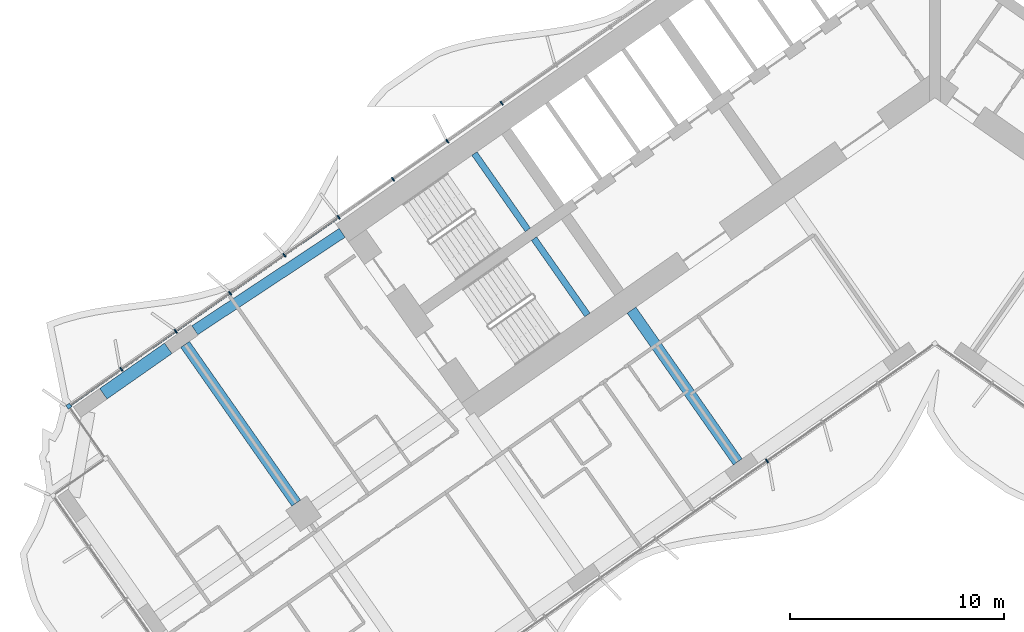
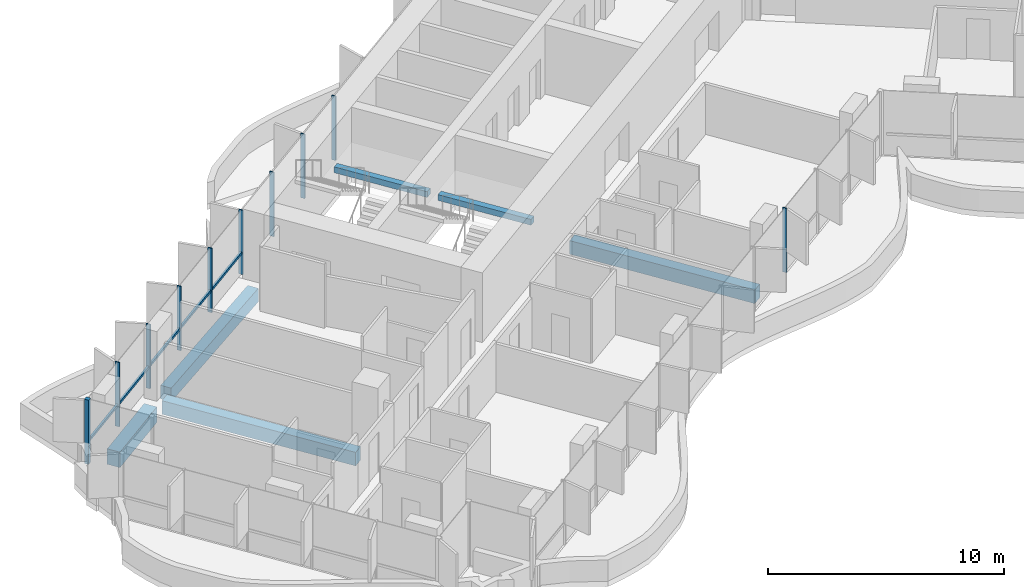
# One storey, part 4 of 23: 11 members, 6 beams, 2 elements without a shape of their own.
"""IFC4 building model written with IfcOpenShell, lengths in metres."""

from ifc_helpers import new_model, si_unit, direction, frame, origin, origin_2d, place, context, subcontext, project, spatial, rectangle, extrude, material, material_profile, profile_set, type_object, element, aggregate, save


model = new_model("IFC4")

# Units and contexts
model_context = context("Model", 3, precision=1e-05, world=origin(), true_north=direction((0.0, 1.0)))
body_context = subcontext(model_context, "Body", "Model", "MODEL_VIEW")
ifc_project = project(units=[si_unit("LENGTHUNIT", "METRE"), si_unit("AREAUNIT", "SQUARE_METRE"), si_unit("VOLUMEUNIT", "CUBIC_METRE"), si_unit("PLANEANGLEUNIT", "RADIAN"), si_unit("MASSUNIT", "GRAM", prefix="KILO")], contexts=[model_context])

# Site, building, storey
site_placement = place(None, origin())
site = spatial("IfcSite", under=ifc_project, at=site_placement, CompositionType="ELEMENT")
building_placement = place(site_placement, origin())
building = spatial("IfcBuilding", under=site, at=building_placement, Name="Tel Ilan Convention Tower", CompositionType="ELEMENT")
storey_placement = place(building_placement, frame((0.0, 0.0, 104.89990234375)))
storey = spatial("IfcBuildingStorey", under=building, at=storey_placement, Name="L22", CompositionType="ELEMENT", Elevation=104.89990234375)

# Beams
ifc_material_1 = material(Name="Concrete C40/50", Category="concrete")
ifc_material_profile_1 = material_profile(ifc_material_1, rectangle(XDim=0.5, YDim=0.699951171875, at=origin_2d()), Name="RC 500x700")
ifc_profile_set_1 = profile_set([ifc_material_profile_1], Name="Concrete C40/50")
beam_type_1 = type_object("IfcBeamType", Name="Beam RC 500x700 Concrete C40/50", PredefinedType="BEAM", material=ifc_profile_set_1)
beam_1_placement = place(storey_placement, frame((-34.570556640625, -12.08447265625, -0.6298828125), z_axis=(0.834273603487, 0.551350663847, 0.0), x_axis=(-0.551350663847, 0.834273603487, 0.0)))
element("IfcBeam", 1, at=beam_1_placement, inside=storey, type_object=beam_type_1, Name="L22 beam W-W-B4-core", PredefinedType="BEAM", context=body_context, shape_type="SweptSolid", body=[
    extrude(rectangle(XDim=0.5, YDim=0.699951171875, at=origin_2d()), origin(), (0.0, 0.0, 1.0), 8.2529296875),
])
beam_2_placement = place(storey_placement, frame((-9.209716796875, -18.229248046875, -0.6298828125), z_axis=(-0.573574099654, 0.819153680457, 0.0), x_axis=(-0.819153680457, -0.573574099654, 0.0)))
element("IfcBeam", 2, at=beam_2_placement, inside=storey, type_object=beam_type_1, Name="L22 beam W-W-F2-core", PredefinedType="BEAM", context=body_context, shape_type="SweptSolid", body=[
    extrude(rectangle(XDim=0.5, YDim=0.699951171875, at=origin_2d()), origin(), (0.0, 0.0, 1.0), 8.64990234375),
])
beam_3_placement = place(storey_placement, frame((-29.83349609375, -20.1572265625, -0.6298828125), z_axis=(-0.57358002233, 0.819149533348, 0.0), x_axis=(-0.819149533348, -0.57358002233, 0.0)))
element("IfcBeam", 3, at=beam_3_placement, inside=storey, type_object=beam_type_1, Name="L22 beam W-W-M4-W-B4", PredefinedType="BEAM", context=body_context, shape_type="SweptSolid", body=[
    extrude(rectangle(XDim=0.5, YDim=0.699951171875, at=origin_2d()), origin(), (0.0, 0.0, 1.0), 9.050048828125),
])
ifc_material_2 = material(Name="Concrete C40/50", Category="concrete")
ifc_material_profile_2 = material_profile(ifc_material_2, rectangle(XDim=0.60009765625, YDim=0.800048828125, at=origin_2d()), Name="RC 600x800")
ifc_profile_set_2 = profile_set([ifc_material_profile_2], Name="Concrete C40/50")
beam_type_2 = type_object("IfcBeamType", Name="Beam RC 600x800 Concrete C40/50", PredefinedType="BEAM", material=ifc_profile_set_2)
beam_4_placement = place(storey_placement, frame((-38.841796875, -15.050537109375, -0.679931640625), z_axis=(0.819185419371, 0.573528768842, 0.0), x_axis=(-0.573528768842, 0.819185419371, 0.0)))
element("IfcBeam", 4, at=beam_4_placement, inside=storey, type_object=beam_type_2, Name="L22 beam W-W-BC-W-B4", PredefinedType="BEAM", context=body_context, shape_type="SweptSolid", body=[
    extrude(rectangle(XDim=0.60009765625, YDim=0.800048828125, at=origin_2d()), origin(), (0.0, 0.0, 1.0), 3.699951171875),
])

# Curtain wall, member
ifc_material_3 = material(Name="Aluminium, bronze anodised", Category="aluminium")
curtain_wall_type_1 = type_object("IfcCurtainWallType", Name="CW1 UNITISED CURTAIN WALL, HOTEL TINTED GLASS", PredefinedType="NOTDEFINED", material=ifc_material_3)
curtain_wall_1_placement = place(storey_placement, origin())
curtain_wall_1 = element("IfcCurtainWall", 5, at=curtain_wall_1_placement, inside=storey, type_object=curtain_wall_type_1, Name="Curtain wall CW1-19.02", PredefinedType="NOTDEFINED")
ifc_material_4 = material(Name="Aluminium, bronze anodised", Category="aluminium")
ifc_material_profile_3 = material_profile(ifc_material_4, rectangle(XDim=0.199951171875, YDim=0.199951171875, at=origin_2d()), Name="CW CORNER MULLION 200x200")
ifc_profile_set_3 = profile_set([ifc_material_profile_3], Name="Aluminium, bronze anodised")
member_type_1 = type_object("IfcMemberType", Name="CW CORNER MULLION 200x200", PredefinedType="MULLION", material=ifc_profile_set_3)
member_1_placement = place(storey_placement, frame((-40.451416015625, -15.62841796875, 0.0), z_axis=(0.0, 0.0, 1.0), x_axis=(-0.819152044289, -0.573576436351, 0.0)))
member_1 = element("IfcMember", 6, at=member_1_placement, type_object=member_type_1, Name="Corner mullion", PredefinedType="MULLION", context=body_context, shape_type="SweptSolid", body=[
    extrude(rectangle(XDim=0.199951171875, YDim=0.199951171875, at=origin_2d()), origin(), (0.0, 0.0, 1.0), 3.320068359375),
])

# Curtain wall, members
ifc_material_5 = material(Name="Aluminium, bronze anodised", Category="aluminium")
curtain_wall_type_2 = type_object("IfcCurtainWallType", Name="CW2 STICK CURTAIN WALL, SPANDREL PANELS", PredefinedType="NOTDEFINED", material=ifc_material_5)
curtain_wall_2_placement = place(storey_placement, origin())
curtain_wall_2 = element("IfcCurtainWall", 7, at=curtain_wall_2_placement, inside=storey, type_object=curtain_wall_type_2, Name="Curtain wall CW2-19.01", PredefinedType="NOTDEFINED")
ifc_material_6 = material(Name="Aluminium, bronze anodised", Category="aluminium")
ifc_material_profile_4 = material_profile(ifc_material_6, rectangle(XDim=0.06005859375, YDim=0.199951171875, at=origin_2d()), Name="CW MULLION 60x200")
ifc_profile_set_4 = profile_set([ifc_material_profile_4], Name="Aluminium, bronze anodised")
member_type_2 = type_object("IfcMemberType", Name="CW MULLION 60x200", PredefinedType="MULLION", material=ifc_profile_set_4)
member_2_placement = place(storey_placement, frame((-20.238037109375, -1.474853515625, 0.0), z_axis=(0.0, 0.0, 1.0), x_axis=(-0.819152044289, -0.573576436351, 0.0)))
member_2 = element("IfcMember", 8, at=member_2_placement, type_object=member_type_2, Name="Mullion", PredefinedType="MULLION", context=body_context, shape_type="SweptSolid", body=[
    extrude(rectangle(XDim=0.06005859375, YDim=0.199951171875, at=origin_2d()), origin(), (0.0, 0.0, 1.0), 3.320068359375),
])
member_3_placement = place(storey_placement, frame((-22.77490234375, -3.251220703125, 0.0), z_axis=(0.0, 0.0, 1.0), x_axis=(-0.819152044289, -0.573576436351, 0.0)))
member_3 = element("IfcMember", 9, at=member_3_placement, type_object=member_type_2, Name="Mullion", PredefinedType="MULLION", context=body_context, shape_type="SweptSolid", body=[
    extrude(rectangle(XDim=0.06005859375, YDim=0.199951171875, at=origin_2d()), origin(), (0.0, 0.0, 1.0), 3.320068359375),
])
member_4_placement = place(storey_placement, frame((-25.311767578125, -5.027587890625, 0.0), z_axis=(0.0, 0.0, 1.0), x_axis=(-0.819152044289, -0.573576436351, 0.0)))
member_4 = element("IfcMember", 10, at=member_4_placement, type_object=member_type_2, Name="Mullion", PredefinedType="MULLION", context=body_context, shape_type="SweptSolid", body=[
    extrude(rectangle(XDim=0.06005859375, YDim=0.199951171875, at=origin_2d()), origin(), (0.0, 0.0, 1.0), 3.320068359375),
])
member_5_placement = place(storey_placement, frame((-27.848876953125, -6.803955078125, 0.0), z_axis=(0.0, 0.0, 1.0), x_axis=(-0.819152044289, -0.573576436351, 0.0)))
member_5 = element("IfcMember", 11, at=member_5_placement, type_object=member_type_2, Name="Mullion", PredefinedType="MULLION", context=body_context, shape_type="SweptSolid", body=[
    extrude(rectangle(XDim=0.06005859375, YDim=0.199951171875, at=origin_2d()), origin(), (0.0, 0.0, 1.0), 3.320068359375),
])
aggregate(curtain_wall_2, [member_2, member_3, member_4, member_5])

# Member
member_6_placement = place(storey_placement, frame((-30.3857421875, -8.580322265625, 0.0), z_axis=(0.0, 0.0, 1.0), x_axis=(-0.819152044289, -0.573576436351, 0.0)))
member_6 = element("IfcMember", 12, at=member_6_placement, type_object=member_type_2, Name="Mullion", PredefinedType="MULLION", context=body_context, shape_type="SweptSolid", body=[
    extrude(rectangle(XDim=0.06005859375, YDim=0.199951171875, at=origin_2d()), origin(), (0.0, 0.0, 1.0), 3.320068359375),
])

member_7_placement = place(storey_placement, frame((-32.922607421875, -10.356689453125, 0.0), z_axis=(0.0, 0.0, 1.0), x_axis=(-0.819152044289, -0.573576436351, 0.0)))
member_7 = element("IfcMember", 13, at=member_7_placement, type_object=member_type_2, Name="Mullion", PredefinedType="MULLION", context=body_context, shape_type="SweptSolid", body=[
    extrude(rectangle(XDim=0.06005859375, YDim=0.199951171875, at=origin_2d()), origin(), (0.0, 0.0, 1.0), 3.320068359375),
])

member_8_placement = place(storey_placement, frame((-35.45947265625, -12.133056640625, 0.0), z_axis=(0.0, 0.0, 1.0), x_axis=(-0.819152044289, -0.573576436351, 0.0)))
member_8 = element("IfcMember", 14, at=member_8_placement, type_object=member_type_2, Name="Mullion", PredefinedType="MULLION", context=body_context, shape_type="SweptSolid", body=[
    extrude(rectangle(XDim=0.06005859375, YDim=0.199951171875, at=origin_2d()), origin(), (0.0, 0.0, 1.0), 3.320068359375),
])

member_9_placement = place(storey_placement, frame((-37.99658203125, -13.909423828125, 0.0), z_axis=(0.0, 0.0, 1.0), x_axis=(-0.819152044289, -0.573576436351, 0.0)))
member_9 = element("IfcMember", 15, at=member_9_placement, type_object=member_type_2, Name="Mullion", PredefinedType="MULLION", context=body_context, shape_type="SweptSolid", body=[
    extrude(rectangle(XDim=0.06005859375, YDim=0.199951171875, at=origin_2d()), origin(), (0.0, 0.0, 1.0), 3.320068359375),
])

member_10_placement = place(storey_placement, frame((-7.842529296875, -18.1875, 0.0), z_axis=(0.0, 0.0, 1.0), x_axis=(0.819152044289, 0.573576436351, 0.0)))
member_10 = element("IfcMember", 16, at=member_10_placement, type_object=member_type_2, Name="Mullion", PredefinedType="MULLION", context=body_context, shape_type="SweptSolid", body=[
    extrude(rectangle(XDim=0.06005859375, YDim=0.199951171875, at=origin_2d()), origin(), (0.0, 0.0, 1.0), 3.320068359375),
])

ifc_material_7 = material(Name="Aluminium, bronze anodised", Category="aluminium")
ifc_material_profile_5 = material_profile(ifc_material_7, rectangle(XDim=0.10009765625, YDim=0.1201171875, at=origin_2d()), Name="CW TRANSOM 100x120")
ifc_profile_set_5 = profile_set([ifc_material_profile_5], Name="Aluminium, bronze anodised")
member_type_3 = type_object("IfcMemberType", Name="CW TRANSOM 100x120", PredefinedType="USERDEFINED", material=ifc_profile_set_5)
member_11_placement = place(storey_placement, frame((-27.873291015625, -6.821044921875, 1.10009765625), z_axis=(-0.819152967985, -0.573575117174, 0.0), x_axis=(0.573575117174, -0.819152967985, 0.0)))
member_11 = element("IfcMember", 17, at=member_11_placement, type_object=member_type_3, Name="Transom", ObjectType="TRANSOM", PredefinedType="USERDEFINED", context=body_context, shape_type="SweptSolid", body=[
    extrude(rectangle(XDim=0.10009765625, YDim=0.1201171875, at=origin_2d()), origin(), (0.0, 0.0, 1.0), 15.255126953125),
])

aggregate(curtain_wall_1, [member_6, member_7, member_8, member_9, member_1, member_11, member_10])

# Beams
ifc_material_8 = material(Name="Concrete C40/50", Category="concrete")
ifc_material_profile_6 = material_profile(ifc_material_8, rectangle(XDim=0.300048828125, YDim=0.300048828125, at=origin_2d()), Name="RC 300x300")
ifc_profile_set_6 = profile_set([ifc_material_profile_6], Name="Concrete C40/50")
beam_type_3 = type_object("IfcBeamType", Name="Landing Beam RC 300x300 Concrete C40/50", PredefinedType="BEAM", material=ifc_profile_set_6)
beam_5_placement = place(storey_placement, frame((-19.013671875, -7.392822265625, 1.4501953125), z_axis=(-0.57356780395, 0.819158088694, 0.0), x_axis=(-0.819158088694, -0.57356780395, 0.0)))
element("IfcBeam", 18, at=beam_5_placement, inside=storey, type_object=beam_type_3, Name="S1 landing beam L22.1", PredefinedType="BEAM", context=body_context, shape_type="SweptSolid", body=[
    extrude(rectangle(XDim=0.300048828125, YDim=0.300048828125, at=origin_2d()), origin(), (0.0, 0.0, 1.0), 4.35009765625),
])
beam_6_placement = place(storey_placement, frame((-16.231689453125, -11.365478515625, 1.4501953125), z_axis=(-0.573594173421, 0.819139624372, 0.0), x_axis=(-0.819139624372, -0.573594173421, 0.0)))
element("IfcBeam", 19, at=beam_6_placement, inside=storey, type_object=beam_type_3, Name="S2 landing beam L22.1", PredefinedType="BEAM", context=body_context, shape_type="SweptSolid", body=[
    extrude(rectangle(XDim=0.300048828125, YDim=0.300048828125, at=origin_2d()), origin(), (0.0, 0.0, 1.0), 4.349853515625),
])

save(model, "model.ifc")
